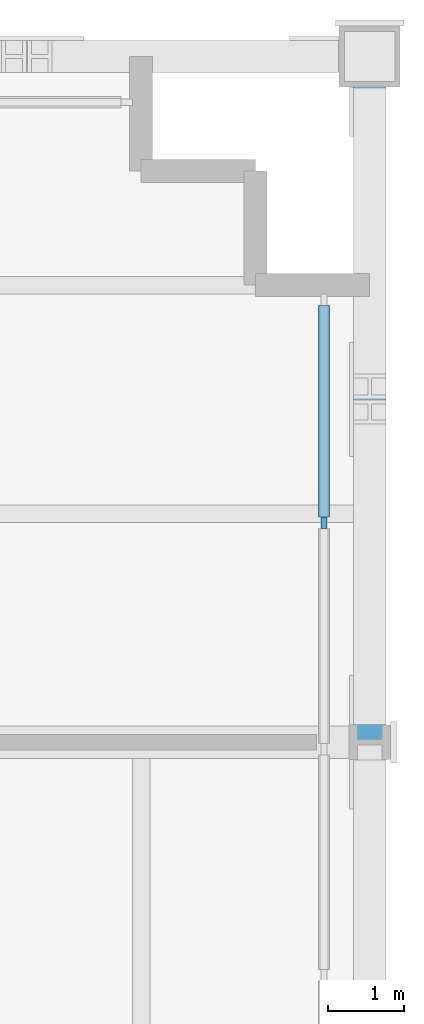
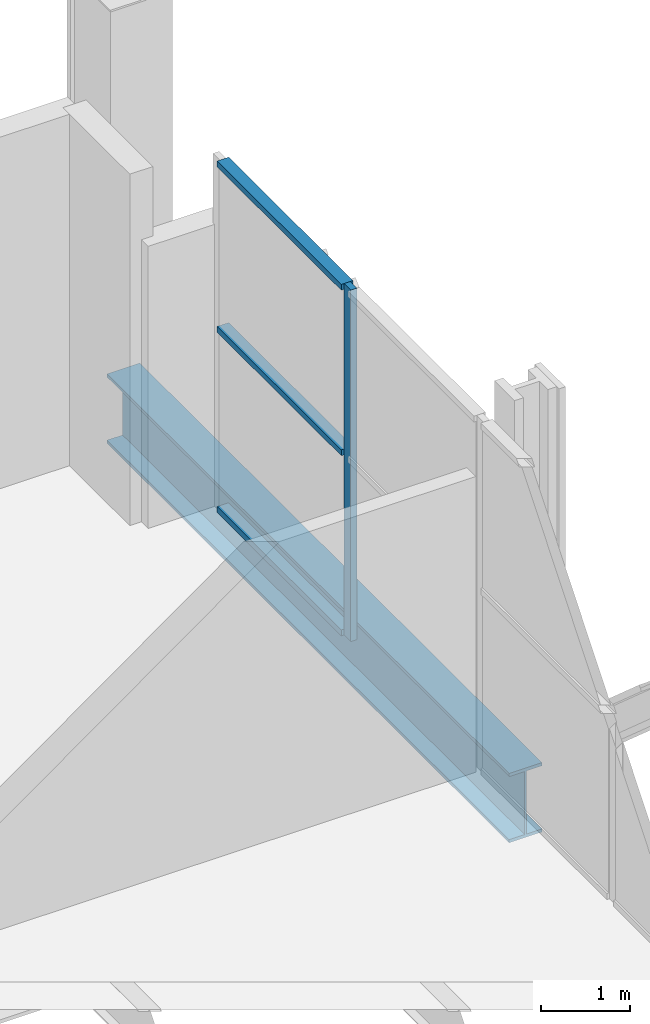
# One storey, part 7 of 19: 4 members, 1 beam, 1 element without a shape of its own.
"""IFC4 building model written with IfcOpenShell, lengths in metres."""

from ifc_helpers import new_model, si_unit, direction, frame, origin, origin_2d, place, context, subcontext, project, spatial, rectangle, i_section, extrude, material, material_profile, profile_set, type_object, element, aggregate, save


model = new_model("IFC4")

# Units and contexts
model_context = context("Model", 3, precision=1e-05, world=origin(), true_north=direction((0.0, 1.0)))
body_context = subcontext(model_context, "Body", "Model", "MODEL_VIEW")
ifc_project = project(units=[si_unit("LENGTHUNIT", "METRE"), si_unit("AREAUNIT", "SQUARE_METRE"), si_unit("VOLUMEUNIT", "CUBIC_METRE"), si_unit("PLANEANGLEUNIT", "RADIAN"), si_unit("MASSUNIT", "GRAM", prefix="KILO")], contexts=[model_context])

# Site, building, storey
site_placement = place(None, origin())
site = spatial("IfcSite", under=ifc_project, at=site_placement, CompositionType="ELEMENT")
building_placement = place(site_placement, origin())
building = spatial("IfcBuilding", under=site, at=building_placement, Name="Loomwork Tower", CompositionType="ELEMENT")
storey_placement = place(building_placement, frame((0.0, 0.0, 89.199951171875)))
storey = spatial("IfcBuildingStorey", under=building, at=storey_placement, Name="L23", CompositionType="ELEMENT", Elevation=89.199951171875)

# Beam
ifc_material_1 = material(Name="Steel ASTM A992", Category="steel")
ifc_material_profile_1 = material_profile(ifc_material_1, i_section(OverallWidth=0.424072265625, OverallDepth=0.947509765625, WebThickness=0.02392578125, FlangeThickness=0.042724609375, at=origin_2d()), Name="W36x302")
ifc_profile_set_1 = profile_set([ifc_material_profile_1], Name="Steel ASTM A992")
beam_type = type_object("IfcBeamType", Name="BELT CHORD SPANDREL W36x302", PredefinedType="SPANDREL", material=ifc_profile_set_1)
beam_placement = place(storey_placement, frame((54.0, 27.0, -0.7236328125), z_axis=(0.0, 1.0, 0.0), x_axis=(-1.0, 0.0, 0.0)))
element("IfcBeam", 1, at=beam_placement, inside=storey, type_object=beam_type, Name="Belt Chord Spandrel G/8-H/8 L23", PredefinedType="SPANDREL", context=body_context, shape_type="SweptSolid", body=[
    extrude(i_section(OverallWidth=0.424072265625, OverallDepth=0.947509765625, WebThickness=0.02392578125, FlangeThickness=0.042724609375, at=origin_2d()), origin(), (0.0, 0.0, 1.0), 9.0),
])

# Curtain wall, members
ifc_material_2 = material(Name="Aluminium louvre frame", Category="aluminium")
curtain_wall_type = type_object("IfcCurtainWallType", Name="Plant floor louvre screen", PredefinedType="NOTDEFINED", material=ifc_material_2)
curtain_wall_placement = place(storey_placement, origin())
curtain_wall = element("IfcCurtainWall", 2, at=curtain_wall_placement, inside=storey, type_object=curtain_wall_type, Name="Plant floor louvre screen cw/E", PredefinedType="NOTDEFINED")
ifc_material_3 = material(Name="Aluminium louvre frame", Category="aluminium")
ifc_material_profile_2 = material_profile(ifc_material_3, rectangle(XDim=0.080078125, YDim=0.14990234375, at=origin_2d()), Name="AL 80x150")
ifc_profile_set_2 = profile_set([ifc_material_profile_2], Name="Aluminium louvre frame")
member_type_1 = type_object("IfcMemberType", Name="Plant floor louvre screen mullion", PredefinedType="MULLION", material=ifc_profile_set_2)
member_1_placement = place(storey_placement, frame((53.39990234375, 29.8798828125, 0.0), z_axis=(0.0, 0.0, 1.0), x_axis=(-1.0, 0.0, 0.0)))
member_1 = element("IfcMember", 3, at=member_1_placement, type_object=member_type_1, Name="CW4 mullion 10", PredefinedType="MULLION", context=body_context, shape_type="SweptSolid", body=[
    extrude(rectangle(XDim=0.080078125, YDim=0.14990234375, at=origin_2d()), origin(), (0.0, 0.0, 1.0), 4.800048828125),
])
ifc_material_4 = material(Name="Aluminium louvre frame", Category="aluminium")
ifc_material_profile_3 = material_profile(ifc_material_4, rectangle(XDim=0.14990234375, YDim=0.080078125, at=origin_2d()), Name="AL 80x150")
ifc_profile_set_3 = profile_set([ifc_material_profile_3], Name="Aluminium louvre frame")
member_type_2 = type_object("IfcMemberType", Name="Plant floor louvre screen transom", PredefinedType="USERDEFINED", material=ifc_profile_set_3)
member_2_placement = place(storey_placement, frame((53.39990234375, 29.955078125, 0.0400390625), z_axis=(0.0, 1.0, 0.0), x_axis=(-1.0, 0.0, 0.0)))
member_2 = element("IfcMember", 4, at=member_2_placement, type_object=member_type_2, Name="CW4 transom 10.1", ObjectType="TRANSOM", PredefinedType="USERDEFINED", context=body_context, shape_type="SweptSolid", body=[
    extrude(rectangle(XDim=0.14990234375, YDim=0.080078125, at=origin_2d()), origin(), (0.0, 0.0, 1.0), 2.780029296875),
])
member_3_placement = place(storey_placement, frame((53.39990234375, 29.955078125, 2.5), z_axis=(0.0, 1.0, 0.0), x_axis=(-1.0, 0.0, 0.0)))
member_3 = element("IfcMember", 5, at=member_3_placement, type_object=member_type_2, Name="CW4 transom 10.2", ObjectType="TRANSOM", PredefinedType="USERDEFINED", context=body_context, shape_type="SweptSolid", body=[
    extrude(rectangle(XDim=0.14990234375, YDim=0.080078125, at=origin_2d()), origin(), (0.0, 0.0, 1.0), 2.780029296875),
])
member_4_placement = place(storey_placement, frame((53.39990234375, 29.955078125, 4.760009765625), z_axis=(0.0, 1.0, 0.0), x_axis=(-1.0, 0.0, 0.0)))
member_4 = element("IfcMember", 6, at=member_4_placement, type_object=member_type_2, Name="CW4 transom 10.3", ObjectType="TRANSOM", PredefinedType="USERDEFINED", context=body_context, shape_type="SweptSolid", body=[
    extrude(rectangle(XDim=0.14990234375, YDim=0.080078125, at=origin_2d()), origin(), (0.0, 0.0, 1.0), 2.780029296875),
])
aggregate(curtain_wall, [member_1, member_2, member_3, member_4])

save(model, "model.ifc")
